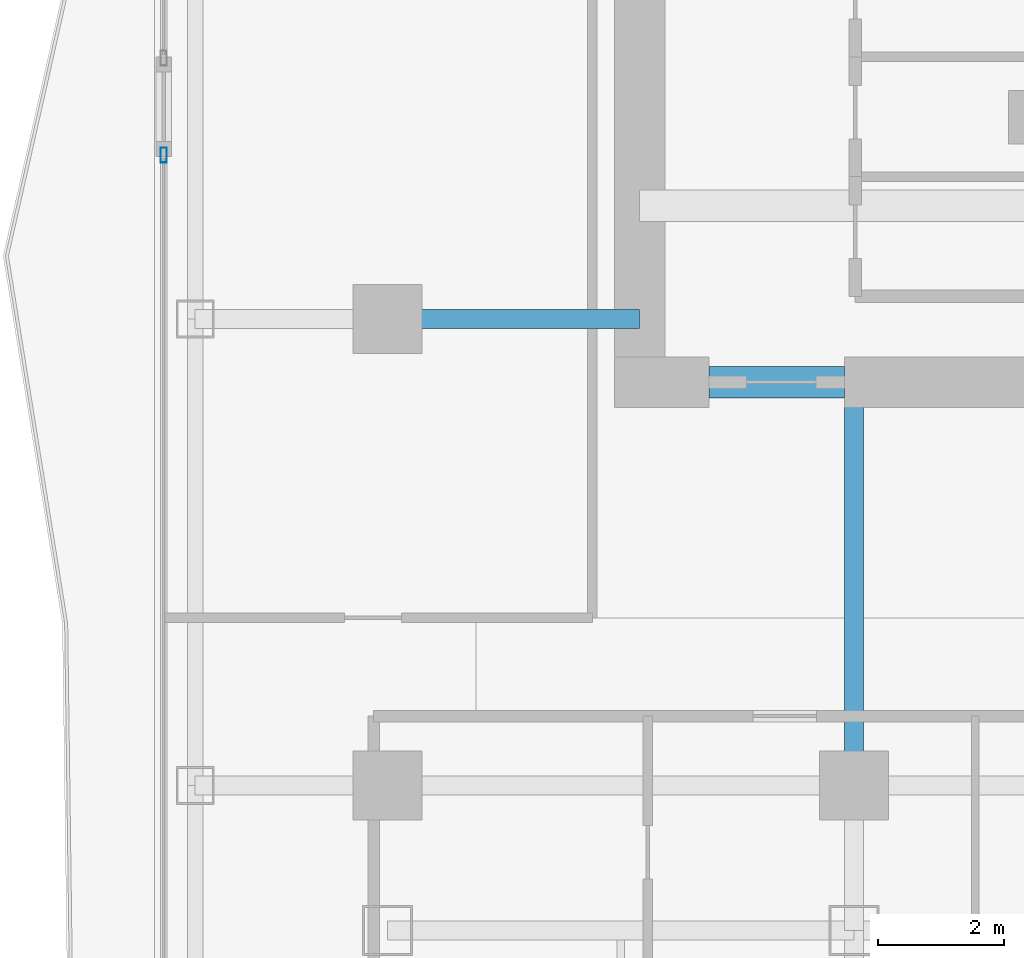
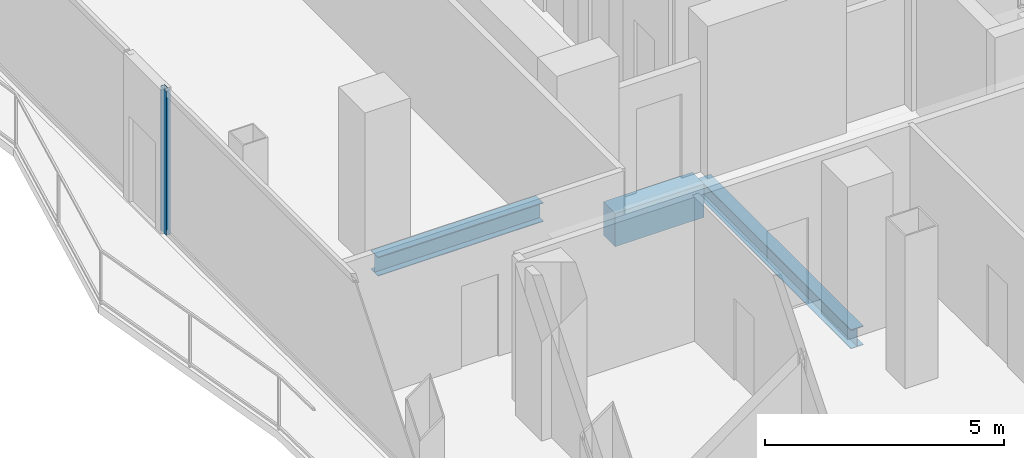
# One storey, part 6 of 26: 3 beams, 1 member, 1 element without a shape of its own.
"""IFC4 building model written with IfcOpenShell, lengths in metres."""

from ifc_helpers import new_model, si_unit, direction, frame, origin, origin_2d, place, context, subcontext, project, spatial, rectangle, hollow_rectangle, i_section, extrude, material, layer, layer_set, material_profile, profile_set, type_object, element, aggregate, save


model = new_model("IFC4")

# Units and contexts
model_context = context("Model", 3, precision=1e-05, world=origin(), true_north=direction((0.0, 1.0)))
body_context = subcontext(model_context, "Body", "Model", "MODEL_VIEW")
ifc_project = project(units=[si_unit("LENGTHUNIT", "METRE"), si_unit("AREAUNIT", "SQUARE_METRE"), si_unit("VOLUMEUNIT", "CUBIC_METRE"), si_unit("PLANEANGLEUNIT", "RADIAN"), si_unit("MASSUNIT", "GRAM", prefix="KILO")], contexts=[model_context])

# Site, building, storey
site_placement = place(None, origin())
site = spatial("IfcSite", under=ifc_project, at=site_placement, CompositionType="ELEMENT")
building_placement = place(site_placement, origin())
building = spatial("IfcBuilding", under=site, at=building_placement, Name="Khorvyn Point Tower", CompositionType="ELEMENT")
storey_placement = place(building_placement, frame((0.0, 0.0, 223.5)))
storey = spatial("IfcBuildingStorey", under=building, at=storey_placement, Name="L55", CompositionType="ELEMENT", Elevation=223.5)

# Curtain wall, member
ifc_material_1 = material(Name="Anodised aluminium 6063-T6 and laminated Low-E glass", Category="aluminium")
ifc_layer = layer(ifc_material_1, 0.18994140625)
ifc_layer_set = layer_set([ifc_layer], Name="Stick-Built Acoustic Curtain Wall CW-SYS-03")
curtain_wall_type = type_object("IfcCurtainWallType", Name="Stick-Built Acoustic Curtain Wall CW-SYS-03", PredefinedType="NOTDEFINED", material=ifc_layer_set)
curtain_wall_placement = place(storey_placement, origin())
curtain_wall = element("IfcCurtainWall", 1, at=curtain_wall_placement, inside=storey, type_object=curtain_wall_type, Name="Curtain Wall", PredefinedType="NOTDEFINED")
ifc_material_2 = material(Name="Anodised aluminium 6063-T6", Category="aluminium")
ifc_material_profile_1 = material_profile(ifc_material_2, hollow_rectangle(XDim=0.10009765625, YDim=0.239990234375, WallThickness=0.0048828125, at=origin_2d()))
ifc_profile_set_1 = profile_set([ifc_material_profile_1], Name="Anodised aluminium 6063-T6 ALU-MUL-100x240")
member_type = type_object("IfcMemberType", Name="Anodised Aluminium 6063-T6 Mullion ALU-MUL-100x240", PredefinedType="MULLION", material=ifc_profile_set_1)
member_placement = place(storey_placement, frame((-18.35009765625, -4.800048828125, 0.0), z_axis=(0.0, 0.0, 1.0), x_axis=(-1.0, 0.0, 0.0)))
member = element("IfcMember", 2, at=member_placement, type_object=member_type, Name="Transom", PredefinedType="MULLION", context=body_context, shape_type="SweptSolid", body=[
    extrude(hollow_rectangle(XDim=0.10009765625, YDim=0.239990234375, WallThickness=0.0048828125, at=origin_2d()), origin(), (0.0, 0.0, 1.0), 3.679931640625),
])
aggregate(curtain_wall, [member])

# Beams
ifc_material_3 = material(Name="Concrete C45/55", Category="concrete")
ifc_material_profile_2 = material_profile(ifc_material_3, rectangle(XDim=0.5, YDim=0.85009765625, at=origin_2d()))
ifc_profile_set_2 = profile_set([ifc_material_profile_2], Name="Concrete C45/55 RC500x850")
beam_type_1 = type_object("IfcBeamType", Name="Concrete C45/55 Beam RC500x850", PredefinedType="BEAM", material=ifc_profile_set_2)
beam_1_placement = place(storey_placement, frame((-9.699951171875, -8.39990234375, -0.64501953125), z_axis=(1.0, 0.0, 0.0), x_axis=(0.0, 1.0, 0.0)))
element("IfcBeam", 3, at=beam_1_placement, inside=storey, type_object=beam_type_1, Name="L55 Core Southwest Portal Coupling Beam", PredefinedType="BEAM", context=body_context, shape_type="SweptSolid", body=[
    extrude(rectangle(XDim=0.5, YDim=0.85009765625, at=origin_2d()), origin(), (0.0, 0.0, 1.0), 2.14990234375),
])
ifc_material_4 = material(Name="Steel S355", Category="steel")
ifc_material_profile_3 = material_profile(ifc_material_4, i_section(OverallWidth=0.300048828125, OverallDepth=0.488037109375, WebThickness=0.010986328125, FlangeThickness=0.01806640625, at=origin_2d()))
ifc_profile_set_3 = profile_set([ifc_material_profile_3], Name="Steel S355 H488x300x11x18")
beam_type_2 = type_object("IfcBeamType", Name="Steel S355 Spandrel H488x300x11x18", PredefinedType="SPANDREL", material=ifc_profile_set_3)
beam_2_placement = place(storey_placement, frame((-14.800048828125, -7.39990234375, -0.464111328125), z_axis=(1.0, 0.0, 0.0), x_axis=(0.0, 1.0, 0.0)))
element("IfcBeam", 4, at=beam_2_placement, inside=storey, type_object=beam_type_2, Name="Beam", PredefinedType="SPANDREL", context=body_context, shape_type="SweptSolid", body=[
    extrude(i_section(OverallWidth=0.300048828125, OverallDepth=0.488037109375, WebThickness=0.010986328125, FlangeThickness=0.01806640625, at=origin_2d()), origin(), (0.0, 0.0, 1.0), 4.0),
])
beam_3_placement = place(storey_placement, frame((-7.39990234375, -14.800048828125, -0.464111328125), z_axis=(0.0, 1.0, 0.0), x_axis=(-1.0, 0.0, 0.0)))
element("IfcBeam", 5, at=beam_3_placement, inside=storey, type_object=beam_type_2, Name="Beam", PredefinedType="SPANDREL", context=body_context, shape_type="SweptSolid", body=[
    extrude(i_section(OverallWidth=0.300048828125, OverallDepth=0.488037109375, WebThickness=0.010986328125, FlangeThickness=0.01806640625, at=origin_2d()), origin(), (0.0, 0.0, 1.0), 6.400146484375),
])

save(model, "model.ifc")
